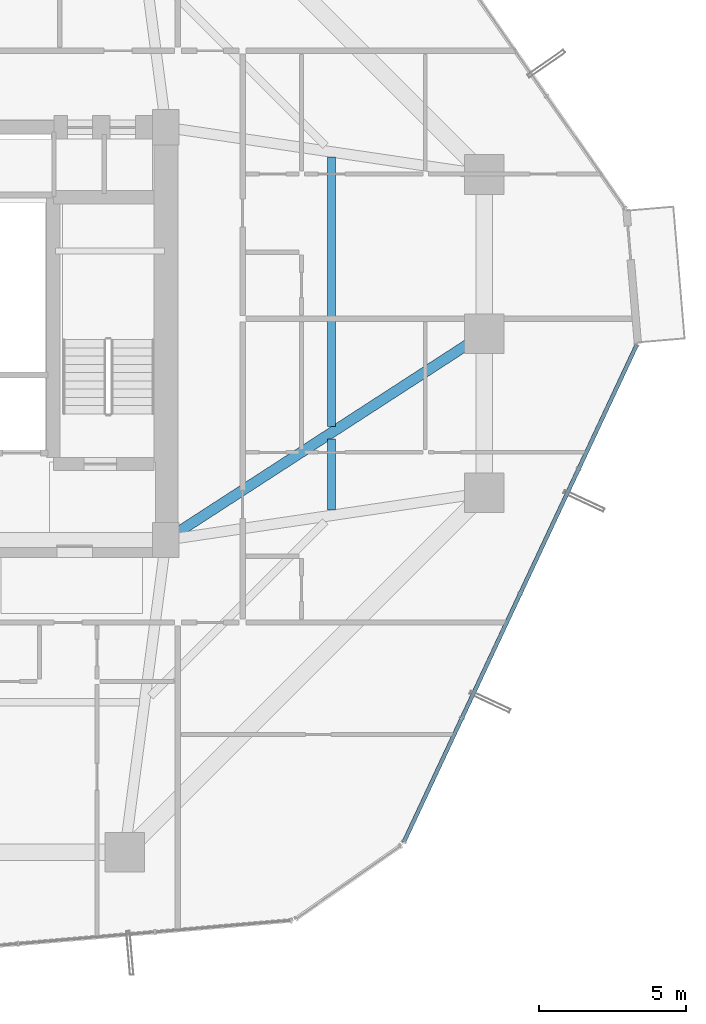
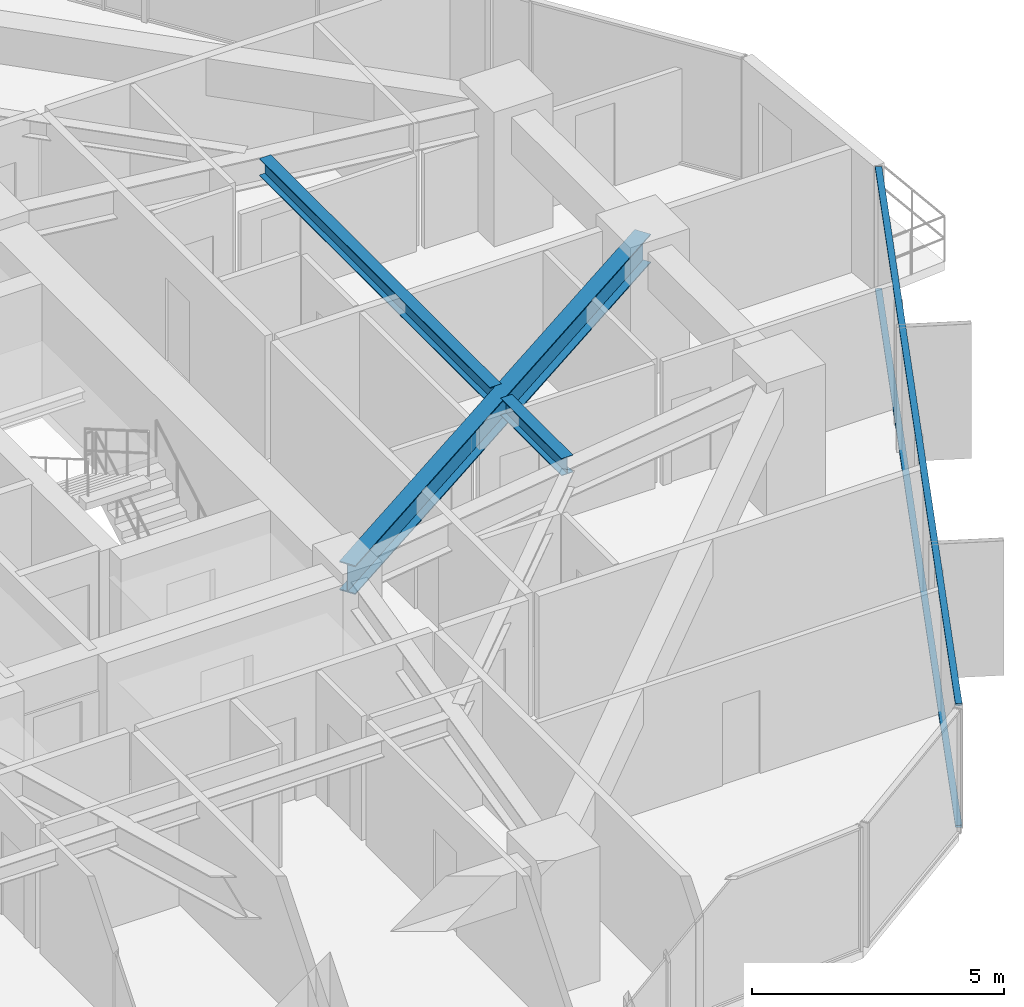
# One storey, part 17 of 37: 3 beams, 2 members, 1 element without a shape of its own.
"""IFC4 building model written with IfcOpenShell, lengths in metres."""

from ifc_helpers import new_model, si_unit, direction, frame, origin, origin_2d, place, context, subcontext, project, spatial, hollow_rectangle, i_section, extrude, source, transform, mapped, material, layer, layer_set, material_profile, profile_set, type_object, element, aggregate, save


model = new_model("IFC4")

# Units and contexts
model_context = context("Model", 3, precision=1e-05, world=origin(), true_north=direction((0.0, 1.0)))
body_context = subcontext(model_context, "Body", "Model", "MODEL_VIEW")
ifc_project = project(units=[si_unit("LENGTHUNIT", "METRE"), si_unit("AREAUNIT", "SQUARE_METRE"), si_unit("VOLUMEUNIT", "CUBIC_METRE"), si_unit("PLANEANGLEUNIT", "RADIAN"), si_unit("MASSUNIT", "GRAM", prefix="KILO")], contexts=[model_context])

# Site, building, storey
site_placement = place(None, origin())
site = spatial("IfcSite", under=ifc_project, at=site_placement, CompositionType="ELEMENT")
building_placement = place(site_placement, origin())
building = spatial("IfcBuilding", under=site, at=building_placement, Name="Veraguas Prism Commons", CompositionType="ELEMENT")
storey_placement = place(building_placement, frame((0.0, 0.0, 40.300048828125)))
storey = spatial("IfcBuildingStorey", under=building, at=storey_placement, Name="L10", CompositionType="ELEMENT", Elevation=40.300048828125)

# Beams
ifc_material_1 = material(Name="Steel ASTM A992 Grade 50", Category="steel")
ifc_material_profile_1 = material_profile(ifc_material_1, i_section(OverallWidth=0.260986328125, OverallDepth=0.419921875, WebThickness=0.01171875, FlangeThickness=0.019287109375, at=origin_2d()), Name="W410X114")
ifc_profile_set_1 = profile_set([ifc_material_profile_1], Name="Steel ASTM A992 Grade 50")
beam_type_1 = type_object("IfcBeamType", Name="Lower Floor Joist W410x114", PredefinedType="JOIST", material=ifc_profile_set_1)
beam_1_placement = place(storey_placement, frame((36.416015625, 18.010009765625, 2.7900390625), z_axis=(0.0, 1.0, 0.0), x_axis=(-1.0, 0.0, 0.0)))
element("IfcBeam", 1, at=beam_1_placement, inside=storey, type_object=beam_type_1, Name="Composite Floor Joist L10-JS01", PredefinedType="JOIST", context=body_context, shape_type="SweptSolid", body=[
    extrude(i_section(OverallWidth=0.260986328125, OverallDepth=0.419921875, WebThickness=0.01171875, FlangeThickness=0.019287109375, at=origin_2d()), origin(), (0.0, 0.0, 1.0), 2.42041015625),
])
beam_2_placement = place(storey_placement, frame((36.416015625, 20.849609375, 2.7900390625), z_axis=(0.0, 1.0, 0.0), x_axis=(-1.0, 0.0, 0.0)))
element("IfcBeam", 2, at=beam_2_placement, inside=storey, type_object=beam_type_1, Name="Composite Floor Joist L10-JS02", PredefinedType="JOIST", context=body_context, shape_type="SweptSolid", body=[
    extrude(i_section(OverallWidth=0.260986328125, OverallDepth=0.419921875, WebThickness=0.01171875, FlangeThickness=0.019287109375, at=origin_2d()), origin(), (0.0, 0.0, 1.0), 9.140380859375),
])
ifc_material_profile_2 = material_profile(ifc_material_1, i_section(OverallWidth=0.35595703125, OverallDepth=0.700927734375, WebThickness=0.016845703125, FlangeThickness=0.02734375, at=origin_2d()), Name="W690X240")
ifc_profile_set_2 = profile_set([ifc_material_profile_2], Name="Steel ASTM A992 Grade 50")
beam_type_2 = type_object("IfcBeamType", Name="Zone 1 Radial Girder W690x240", PredefinedType="BEAM", material=ifc_profile_set_2)
beam_3_placement = place(storey_placement, frame((41.60009765625, 24.0, 2.6494140625), z_axis=(-0.839154108875, -0.543893722668, 0.0), x_axis=(0.543893722668, -0.839154108875, 0.0)))
element("IfcBeam", 3, at=beam_3_placement, inside=storey, type_object=beam_type_2, Name="Radial Floor Girder L10-RD02", PredefinedType="BEAM", context=body_context, shape_type="SweptSolid", body=[
    extrude(i_section(OverallWidth=0.35595703125, OverallDepth=0.700927734375, WebThickness=0.016845703125, FlangeThickness=0.02734375, at=origin_2d()), origin(), (0.0, 0.0, 1.0), 12.8701171875),
])

# Curtain wall, members
ifc_material_2 = material(Name="Anodised aluminium EN AW-6063 T6", Category="aluminium")
ifc_layer = layer(ifc_material_2, 0.169921875, Name="Unitised Flush Curtain Wall Zone 1", Category="aluminium")
ifc_layer_set = layer_set([ifc_layer], Name="Anodised aluminium EN AW-6063 T6")
curtain_wall_type = type_object("IfcCurtainWallType", Name="Unitised Flush Curtain Wall Zone 1", PredefinedType="NOTDEFINED", material=ifc_layer_set)
curtain_wall_placement = place(storey_placement, origin())
curtain_wall = element("IfcCurtainWall", 4, at=curtain_wall_placement, inside=storey, type_object=curtain_wall_type, Name="Tower Facade Curtain Wall L10-F6", PredefinedType="NOTDEFINED")
ifc_material_profile_3 = material_profile(ifc_material_2, hollow_rectangle(XDim=0.054931640625, YDim=0.135009765625, WallThickness=0.0029296875, at=origin_2d()), Name="AL55X135X3")
ifc_profile_set_3 = profile_set([ifc_material_profile_3], Name="Anodised aluminium EN AW-6063 T6")
member_type = type_object("IfcMemberType", Name="Curtain Wall Transom Standard AL 55x135x3", PredefinedType="USERDEFINED", material=ifc_profile_set_3)
shared_shape = source(origin(), body_context, "Body", "SweptSolid", [
    extrude(hollow_rectangle(XDim=0.054931640625, YDim=0.135009765625, WallThickness=0.0029296875, at=origin_2d()), origin(), (0.0, 0.0, 1.0), 18.623779296875),
])
member_1_placement = place(storey_placement, frame((38.871826171875, 6.75048828125, 0.02734375), z_axis=(0.424194729421, 0.90557099751, 0.0), x_axis=(0.0, 0.0, 1.0)))
member_1 = element("IfcMember", 5, at=member_1_placement, type_object=member_type, Name="CW-Z1 Transom 1", ObjectType="TRANSOM", PredefinedType="USERDEFINED", context=body_context, shape_type="MappedRepresentation", body=[
    mapped(shared_shape, transform((0.0, 0.0, 0.0), scale=1.0)),
])
member_2_placement = place(storey_placement, frame((38.871826171875, 6.75048828125, 2.972412109375), z_axis=(0.424194729421, 0.90557099751, 0.0), x_axis=(0.0, 0.0, 1.0)))
member_2 = element("IfcMember", 6, at=member_2_placement, type_object=member_type, Name="CW-Z1 Transom 2", ObjectType="TRANSOM", PredefinedType="USERDEFINED", context=body_context, shape_type="MappedRepresentation", body=[
    mapped(shared_shape, transform((0.0, 0.0, 0.0), scale=1.0)),
])
aggregate(curtain_wall, [member_1, member_2])

save(model, "model.ifc")
